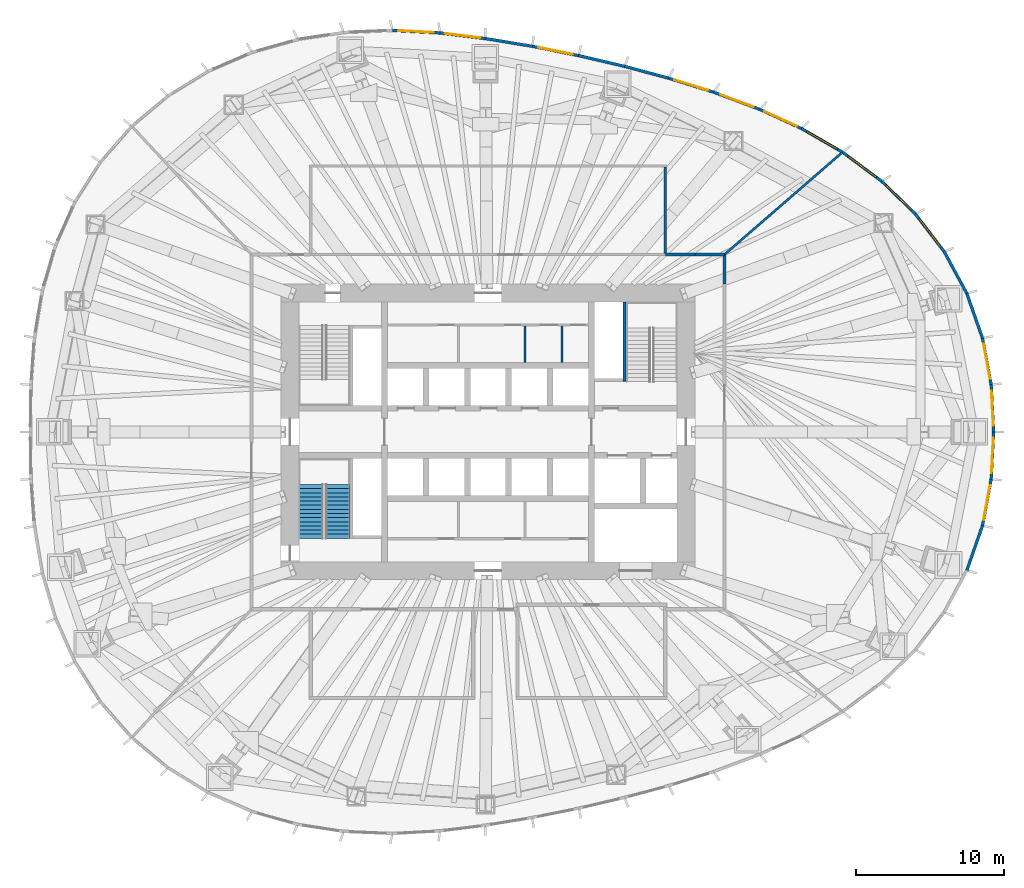
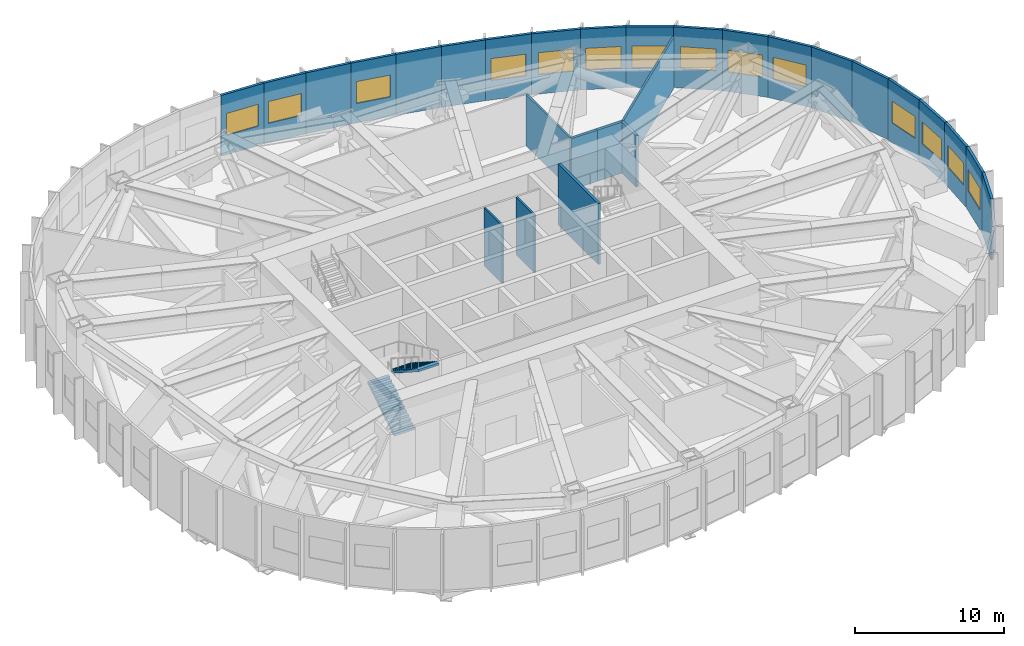
# One storey, part 10 of 12: 28 walls, 14 windows, 2 stair flights, 14 openings, 1 element without a shape of its own.
"""IFC4 building model written with IfcOpenShell, lengths in metres."""

import ifcopenshell
import ifcopenshell.guid

model = None  # the IFC model being written
_history = None  # IfcOwnerHistory: only IFC2X3 demands one
_inside = {}  # id of a spatial element -> (the spatial element, [elements in it])
_under = {}  # id of a project, library or spatial element -> (it, [spatial elements below it])
_declared = {}  # id of a project -> (the project, [libraries it declares])
_typed = {}  # id of a type object -> (the type object, [elements of that type])
_made_of = {}  # id of a material, layer set ... -> (it, [elements and type objects made of it])


def new_model(schema):
    """Start an empty IFC model of exactly this schema.

    Asked for "IFC4X3", IfcOpenShell would pick the latest addendum, in which some entities
    have other attributes; the version numbers below select the first issue.
    IFC2X3 requires an IfcOwnerHistory on every rooted entity: one is made here for all.
    """
    global model, _history
    if schema == "IFC4X3":
        model = ifcopenshell.file(schema_version=(4, 3, 0, 0))
    else:
        model = ifcopenshell.file(schema=schema)
    _inside.clear()
    _under.clear()
    _declared.clear()
    _typed.clear()
    _made_of.clear()
    _history = None
    if model.schema == "IFC2X3":
        org = make("IfcOrganization", Name="unknown")
        user = make(
            "IfcPersonAndOrganization",
            ThePerson=make("IfcPerson", FamilyName="unknown"),
            TheOrganization=org,
        )
        app = make(
            "IfcApplication",
            ApplicationDeveloper=org,
            Version="unknown",
            ApplicationFullName="unknown",
            ApplicationIdentifier="unknown",
        )
        _history = make(
            "IfcOwnerHistory",
            OwningUser=user,
            OwningApplication=app,
            ChangeAction="ADDED",
            CreationDate=0,
        )
    return model


def make(cls, **values):
    """One entity of the class cls with the attributes given. An attribute that is None is left unset."""
    return model.create_entity(
        cls, **{name: value for name, value in values.items() if value is not None}
    )


def rooted(cls, **values):
    """An entity with a GlobalId (a new one), such as an element, a storey or a relation."""
    return make(cls, GlobalId=ifcopenshell.guid.new(), OwnerHistory=_history, **values)


def si_unit(unit_type, name, prefix=None):
    """IfcSIUnit, for example si_unit("LENGTHUNIT", "METRE", prefix="MILLI")."""
    return make("IfcSIUnit", UnitType=unit_type, Prefix=prefix, Name=name)


def assignment(units):
    """IfcUnitAssignment: the units of a project."""
    return None if units is None else make("IfcUnitAssignment", Units=units)


def point(xyz):
    """IfcCartesianPoint."""
    return None if xyz is None else make("IfcCartesianPoint", Coordinates=xyz)


def direction(xyz):
    """IfcDirection."""
    return None if xyz is None else make("IfcDirection", DirectionRatios=xyz)


def frame(location, z_axis=None, x_axis=None):
    """IfcAxis2Placement3D, a coordinate frame: its origin and axes. An axis left out is left unset."""
    return make(
        "IfcAxis2Placement3D",
        Location=point(location),
        Axis=direction(z_axis),
        RefDirection=direction(x_axis),
    )


def frame_2d(location, x_axis=None):
    """IfcAxis2Placement2D, a coordinate frame in the plane: its origin and x axis."""
    return make(
        "IfcAxis2Placement2D", Location=point(location), RefDirection=direction(x_axis)
    )


def origin():
    """The frame at (0, 0, 0) with its axes left unset."""
    return frame((0.0, 0.0, 0.0))


def place(relative_to, where):
    """IfcLocalPlacement: puts the frame where relative to a parent placement (None: the world)."""
    return make(
        "IfcLocalPlacement", PlacementRelTo=relative_to, RelativePlacement=where
    )


def context(
    kind, dimensions, precision=None, world=None, true_north=None, identifier=None
):
    """IfcGeometricRepresentationContext, for example the 3D "Model" context."""
    return make(
        "IfcGeometricRepresentationContext",
        ContextIdentifier=identifier,
        ContextType=kind,
        CoordinateSpaceDimension=dimensions,
        Precision=precision,
        WorldCoordinateSystem=world,
        TrueNorth=true_north,
    )


def subcontext(parent, identifier, kind, view, scale=None):
    """IfcGeometricRepresentationSubContext, for example "Body" below "Model"."""
    return make(
        "IfcGeometricRepresentationSubContext",
        ContextIdentifier=identifier,
        ContextType=kind,
        ParentContext=parent,
        TargetScale=scale,
        TargetView=view,
    )


def project(units=None, contexts=None):
    """IfcProject with its units and contexts."""
    return rooted(
        "IfcProject",
        Name="project",
        RepresentationContexts=contexts,
        UnitsInContext=assignment(units),
    )


def spatial(cls, under=None, at=None, **own):
    """A site, building, storey or space (cls), placed at a placement, below another one or the project."""
    s = rooted(cls, ObjectPlacement=at, **own)
    if under is not None:
        _under.setdefault(under.id(), (under, []))[1].append(s)
    return s


def polyline(points):
    """IfcPolyline through the points."""
    return make("IfcPolyline", Points=[point(p) for p in points])


def profile(cls, at=None, kind="AREA", **sizes):
    """A parametric profile (cls). Its sizes go by their IFC names, for example OverallWidth=200.0."""
    return make(cls, ProfileType=kind, Position=at, **sizes)


def rectangle(**sizes):
    """IfcRectangleProfileDef."""
    return profile("IfcRectangleProfileDef", **sizes)


def outline(outer, holes=None, kind="AREA"):
    """IfcArbitraryClosedProfileDef: a profile drawn as a closed curve; with holes, ...WithVoids."""
    if holes is None:
        return make("IfcArbitraryClosedProfileDef", ProfileType=kind, OuterCurve=outer)
    return make(
        "IfcArbitraryProfileDefWithVoids",
        ProfileType=kind,
        OuterCurve=outer,
        InnerCurves=holes,
    )


def extrude(swept, where, along, depth):
    """IfcExtrudedAreaSolid: the profile swept, set in the frame where, extruded along a direction by depth."""
    return make(
        "IfcExtrudedAreaSolid",
        SweptArea=swept,
        Position=where,
        ExtrudedDirection=direction(along),
        Depth=depth,
    )


def shape(context_of_items, identifier, shape_type, items):
    """IfcShapeRepresentation: the items that make up one representation, for example the "Body"."""
    return make(
        "IfcShapeRepresentation",
        ContextOfItems=context_of_items,
        RepresentationIdentifier=identifier,
        RepresentationType=shape_type,
        Items=items,
    )


def material(Name=None, Category=None):
    """IfcMaterial."""
    return make("IfcMaterial", Name=Name, Category=Category)


def layer(
    of_material, thickness, ventilated=None, Name=None, Category=None, Priority=None
):
    """IfcMaterialLayer: one layer of a wall or slab, of a material (None: an air gap)."""
    return make(
        "IfcMaterialLayer",
        Material=of_material,
        LayerThickness=thickness,
        IsVentilated=ventilated,
        Name=Name,
        Category=Category,
        Priority=Priority,
    )


def layer_set(layers, Name=None):
    """IfcMaterialLayerSet."""
    return make("IfcMaterialLayerSet", MaterialLayers=layers, LayerSetName=Name)


def made_of(thing, what):
    """Note that an element or type object is made of a material, layer set ...; save() writes the relation."""
    if what is not None:
        _made_of.setdefault(what.id(), (what, []))[1].append(thing)
    return thing


def type_object(cls, material=None, **own):
    """A type object (cls), such as IfcWallType, which elements share."""
    return made_of(rooted(cls, **own), material)


def element(
    cls,
    number,
    at=None,
    inside=None,
    cuts=None,
    type_object=None,
    material=None,
    context=None,
    identifier="Body",
    shape_type=None,
    held_by="IfcProductDefinitionShape",
    body=None,
    shapes=None,
    **own,
):
    """One element of the class cls, such as IfcWall. Its Tag is "e" and its number.

    at: its placement. inside: the storey or other place that contains it. cuts: it is an
    opening in that element (IfcRelVoidsElement). A single representation is given by context,
    identifier, shape_type and body (its items); several are given by shapes. held_by: the class
    of the entity that holds the representations. save() writes the other relations.
    """
    e = rooted(cls, Tag="e%d" % number, ObjectPlacement=at, **own)
    if body is not None:
        shapes = [shape(context, identifier, shape_type, body)]
    if shapes is not None:
        e.Representation = make(held_by, Representations=shapes)
    if inside is not None:
        _inside.setdefault(inside.id(), (inside, []))[1].append(e)
    if cuts is not None:
        rooted(
            "IfcRelVoidsElement", RelatingBuildingElement=cuts, RelatedOpeningElement=e
        )
    if type_object is not None:
        _typed.setdefault(type_object.id(), (type_object, []))[1].append(e)
    return made_of(e, material)


def fill(opening, filler):
    """IfcRelFillsElement: the door or window that sits in an opening."""
    return rooted(
        "IfcRelFillsElement",
        RelatingOpeningElement=opening,
        RelatedBuildingElement=filler,
    )


def aggregate(whole, parts):
    """IfcRelAggregates: a whole, such as a stair, and the parts it consists of."""
    return rooted("IfcRelAggregates", RelatingObject=whole, RelatedObjects=parts)


def save(model, path):
    """Write the relations noted so far, then the file.

    IfcRelAggregates (storeys below a building ...), IfcRelContainedInSpatialStructure (elements
    in a storey), IfcRelDefinesByType, IfcRelAssociatesMaterial and IfcRelDeclares: one each for
    every whole, place, type object, material and project.
    """
    for whole, parts in _under.values():
        aggregate(whole, parts)
    for where, things in _inside.values():
        rooted(
            "IfcRelContainedInSpatialStructure",
            RelatedElements=things,
            RelatingStructure=where,
        )
    for kind, things in _typed.values():
        rooted("IfcRelDefinesByType", RelatedObjects=things, RelatingType=kind)
    for what, things in _made_of.values():
        rooted("IfcRelAssociatesMaterial", RelatedObjects=things, RelatingMaterial=what)
    for by, libraries in _declared.values():
        rooted("IfcRelDeclares", RelatingContext=by, RelatedDefinitions=libraries)
    model.write(path)


model = new_model("IFC4")

# Units and contexts
model_context = context("Model", 3, precision=1e-05, world=origin(), true_north=direction((0.0, 1.0)))
body_context = subcontext(model_context, "Body", "Model", "MODEL_VIEW")
ifc_project = project(units=[si_unit("LENGTHUNIT", "METRE"), si_unit("AREAUNIT", "SQUARE_METRE"), si_unit("VOLUMEUNIT", "CUBIC_METRE"), si_unit("PLANEANGLEUNIT", "RADIAN"), si_unit("MASSUNIT", "GRAM", prefix="KILO")], contexts=[model_context])

# Site, building, storey
site_placement = place(None, origin())
site = spatial("IfcSite", under=ifc_project, at=site_placement, CompositionType="ELEMENT")
building_placement = place(site_placement, origin())
building = spatial("IfcBuilding", under=site, at=building_placement, Name="Ghaith Harvest Tower", CompositionType="ELEMENT")
storey_placement = place(building_placement, frame((0.0, 0.0, 100.0)))
storey = spatial("IfcBuildingStorey", under=building, at=storey_placement, Name="L20", CompositionType="ELEMENT", Elevation=100.0)

# Walls
ifc_material_1 = material(Name="Concrete blockwork, 1-hour", Category="masonry")
ifc_layer_1 = layer(ifc_material_1, 0.215087890625)
ifc_layer_set_1 = layer_set([ifc_layer_1], Name="BLOCKWORK WALL 215")
wall_type_1 = type_object("IfcWallType", Name="BLOCKWORK WALL 215", PredefinedType="PARTITIONING", material=ifc_layer_set_1)
for number, where, z_axis, x_axis, name in (
    (1, (16.0, 12.0, 0.0), (0.0, 0.0, 1.0), (-1.0, 0.0, 0.0), "Plant room wall L20"),
    (2, (14.0, 12.0, 0.0), (0.0, 0.0, 1.0), (-1.0, 0.0, 0.0), "Plant room wall L20"),
    (3, (16.0, 10.0, 0.0), (0.0, 0.0, 1.0), (0.0, 1.0, 0.0), "Plant room wall L20"),
):
    element("IfcWall", number, at=place(storey_placement, frame(where, z_axis=z_axis, x_axis=x_axis)), inside=storey, type_object=wall_type_1, Name=name, PredefinedType="PARTITIONING", context=body_context, shape_type="SweptSolid", body=[
        extrude(rectangle(XDim=2.0, YDim=0.215087890625, at=frame_2d((1.0, 0.0))), origin(), (0.0, 0.0, 1.0), 4.199951171875),
    ])
ifc_material_2 = material(Name="Concrete blockwork, fair-faced", Category="masonry")
ifc_layer_2 = layer(ifc_material_2, 0.139892578125)
ifc_layer_set_2 = layer_set([ifc_layer_2], Name="CORE PARTITION 140")
wall_type_2 = type_object("IfcWallType", Name="CORE PARTITION 140", PredefinedType="PARTITIONING", material=ifc_layer_set_2)
for number, where, z_axis, x_axis, name in (
    (4, (2.5, 4.699951171875, 0.0), (0.0, 0.0, 1.0), (0.0, 1.0, 0.0), "Core partition L20"),
    (5, (5.0, 4.699951171875, 0.0), (0.0, 0.0, 1.0), (0.0, 1.0, 0.0), "Core partition L20"),
):
    element("IfcWall", number, at=place(storey_placement, frame(where, z_axis=z_axis, x_axis=x_axis)), inside=storey, type_object=wall_type_2, Name=name, PredefinedType="PARTITIONING", context=body_context, shape_type="SweptSolid", body=[
        extrude(rectangle(XDim=2.4599609375, YDim=0.139892578125, at=frame_2d((1.22998046875, 0.0))), origin(), (0.0, 0.0, 1.0), 4.75),
    ])
ifc_material_3 = material(Name="Gypsum board on steel studs", Category="steel")
ifc_layer_3 = layer(ifc_material_3, 0.14990234375)
ifc_layer_set_3 = layer_set([ifc_layer_3], Name="PARTITION 150")
wall_type_3 = type_object("IfcWallType", Name="PARTITION 150", PredefinedType="PARTITIONING", material=ifc_layer_set_3)
wall_1_placement = place(storey_placement, frame((16.01513671875, 12.01318359375, 0.0), z_axis=(0.0, 0.0, 1.0), x_axis=(0.755438460481, 0.655219606259, 0.0)))
element("IfcWall", 6, at=wall_1_placement, inside=storey, type_object=wall_type_3, Name="Partition L20 zone division", PredefinedType="PARTITIONING", context=body_context, shape_type="SweptSolid", body=[
    extrude(rectangle(XDim=10.4482421875, YDim=0.14990234375, at=frame_2d((5.22412109375, 0.0))), origin(), (0.0, 0.0, 1.0), 4.199951171875),
])
wall_2_placement = place(storey_placement, frame((12.0, 12.074951171875, 0.0), z_axis=(0.0, 0.0, 1.0), x_axis=(0.0, 1.0, 0.0)))
element("IfcWall", 7, at=wall_2_placement, inside=storey, type_object=wall_type_3, Name="Partition L20-01", PredefinedType="PARTITIONING", context=body_context, shape_type="SweptSolid", body=[
    extrude(rectangle(XDim=5.85009765625, YDim=0.14990234375, at=frame_2d((2.925048828125, 0.0))), origin(), (0.0, 0.0, 1.0), 4.199951171875),
])

# Wall, opening, window
ifc_material_4 = material(Name="Steel, black insulated metal cladding panel", Category="steel")
ifc_layer_4 = layer(ifc_material_4, 0.199951171875)
ifc_layer_set_4 = layer_set([ifc_layer_4], Name="PLANT ENCLOSURE WALL 200")
wall_type_4 = type_object("IfcWallType", Name="PLANT ENCLOSURE WALL 200", PredefinedType="SOLIDWALL", material=ifc_layer_set_4)
wall_3_placement = place(storey_placement, frame((34.22509765625, 0.0, 0.0), z_axis=(0.0, 0.0, 1.0), x_axis=(-0.052055527152, 0.998644191939, 0.0)))
wall_3 = element("IfcWall", 8, at=wall_3_placement, inside=storey, type_object=wall_type_4, Name="Plant enclosure wall 01.1 L20", PredefinedType="SOLIDWALL", context=body_context, shape_type="SweptSolid", body=[
    extrude(rectangle(XDim=3.2080078125, YDim=0.199951171875, at=frame_2d((1.60400390625, 0.0))), origin(), (0.0, 0.0, 1.0), 5.0),
])
opening_1_placement = place(wall_3_placement, frame((0.40380859375, 0.0, 1.60009765625)))
opening_1 = element("IfcOpeningElement", 9, at=opening_1_placement, cuts=wall_3, Name="Opening LV1", PredefinedType="OPENING", context=body_context, shape_type="SweptSolid", body=[
    extrude(rectangle(XDim=2.39990234375, YDim=1.800048828125, at=frame_2d((1.199951171875, 0.89990234375))), frame((0.0, 0.10986328125, 0.0), z_axis=(0.0, -1.0, 0.0), x_axis=(1.0, 0.0, 0.0)), (0.0, 0.0, 1.0), 0.219970703125),
])
ifc_material_5 = material(Name="Aluminium louvre, black", Category="aluminium")
window_type = type_object("IfcWindowType", Name="LOUVRE L1 2400x1800", PartitioningType="SINGLE_PANEL", PredefinedType="WINDOW", material=ifc_material_5)
window_1_placement = place(opening_1_placement, origin())
window_1 = element("IfcWindow", 10, at=window_1_placement, inside=storey, type_object=window_type, Name="Plant louvre 01.1 L20", OverallHeight=1.800048828125, OverallWidth=2.39990234375, PartitioningType="SINGLE_PANEL", PredefinedType="WINDOW", context=body_context, shape_type="SweptSolid", body=[
    extrude(rectangle(XDim=2.39990234375, YDim=1.800048828125, at=frame_2d((1.199951171875, 0.89990234375))), frame((0.0, 0.030029296875, 0.0), z_axis=(0.0, -1.0, 0.0), x_axis=(1.0, 0.0, 0.0)), (0.0, 0.0, 1.0), 0.06005859375),
])
fill(opening_1, window_1)

wall_4_placement = place(storey_placement, frame((34.05810546875, 3.20361328125, 0.0), z_axis=(0.0, 0.0, 1.0), x_axis=(-0.183598254388, 0.983001363674, 0.0)))
wall_4 = element("IfcWall", 11, at=wall_4_placement, inside=storey, type_object=wall_type_4, Name="Plant enclosure wall 01.2 L20", PredefinedType="SOLIDWALL", context=body_context, shape_type="SweptSolid", body=[
    extrude(rectangle(XDim=3.203369140625, YDim=0.199951171875, at=frame_2d((1.6015625, 0.0))), origin(), (0.0, 0.0, 1.0), 5.0),
])
opening_2_placement = place(wall_4_placement, frame((0.40185546875, 0.0, 1.60009765625)))
opening_2 = element("IfcOpeningElement", 12, at=opening_2_placement, cuts=wall_4, Name="Opening LV1", PredefinedType="OPENING", context=body_context, shape_type="SweptSolid", body=[
    extrude(rectangle(XDim=2.39990234375, YDim=1.800048828125, at=frame_2d((1.199951171875, 0.89990234375))), frame((0.0, 0.10986328125, 0.0), z_axis=(0.0, -1.0, 0.0), x_axis=(1.0, 0.0, 0.0)), (0.0, 0.0, 1.0), 0.219970703125),
])
window_2_placement = place(opening_2_placement, origin())
window_2 = element("IfcWindow", 13, at=window_2_placement, inside=storey, type_object=window_type, Name="Plant louvre 01.2 L20", OverallHeight=1.800048828125, OverallWidth=2.39990234375, PartitioningType="SINGLE_PANEL", PredefinedType="WINDOW", context=body_context, shape_type="SweptSolid", body=[
    extrude(rectangle(XDim=2.39990234375, YDim=1.800048828125, at=frame_2d((1.199951171875, 0.89990234375))), frame((0.0, 0.030029296875, 0.0), z_axis=(0.0, -1.0, 0.0), x_axis=(1.0, 0.0, 0.0)), (0.0, 0.0, 1.0), 0.06005859375),
])
fill(opening_2, window_2)

# Walls
wall_5_placement = place(storey_placement, frame((33.469970703125, 6.3525390625, 0.0), z_axis=(0.0, 0.0, 1.0), x_axis=(-0.330312986114, 0.943871459048, 0.0)))
element("IfcWall", 14, at=wall_5_placement, inside=storey, type_object=wall_type_4, Name="Plant enclosure wall 01.3 L20", PredefinedType="SOLIDWALL", context=body_context, shape_type="SweptSolid", body=[
    extrude(rectangle(XDim=3.1953125, YDim=0.199951171875, at=frame_2d((1.59765625, 0.0))), origin(), (0.0, 0.0, 1.0), 5.0),
])
wall_6_placement = place(storey_placement, frame((32.41455078125, 9.368408203125, 0.0), z_axis=(0.0, 0.0, 1.0), x_axis=(-0.475929838949, 0.879483250777, 0.0)))
element("IfcWall", 15, at=wall_6_placement, inside=storey, type_object=wall_type_4, Name="Plant enclosure wall 02.1 L20", PredefinedType="SOLIDWALL", context=body_context, shape_type="SweptSolid", body=[
    extrude(rectangle(XDim=3.228271484375, YDim=0.199951171875, at=frame_2d((1.6142578125, 0.0))), origin(), (0.0, 0.0, 1.0), 5.0),
])

# Wall, opening, window
wall_7_placement = place(storey_placement, frame((30.878173828125, 12.20751953125, 0.0), z_axis=(0.0, 0.0, 1.0), x_axis=(-0.607718510509, 0.794152511791, 0.0)))
wall_7 = element("IfcWall", 16, at=wall_7_placement, inside=storey, type_object=wall_type_4, Name="Plant enclosure wall 02.2 L20", PredefinedType="SOLIDWALL", context=body_context, shape_type="SweptSolid", body=[
    extrude(rectangle(XDim=3.20703125, YDim=0.199951171875, at=frame_2d((1.603515625, 0.0))), origin(), (0.0, 0.0, 1.0), 5.0),
])
opening_3_placement = place(wall_7_placement, frame((0.4033203125, 0.0, 1.60009765625)))
opening_3 = element("IfcOpeningElement", 17, at=opening_3_placement, cuts=wall_7, Name="Opening LV1", PredefinedType="OPENING", context=body_context, shape_type="SweptSolid", body=[
    extrude(rectangle(XDim=2.39990234375, YDim=1.800048828125, at=frame_2d((1.199951171875, 0.89990234375))), frame((0.0, 0.10986328125, 0.0), z_axis=(0.0, -1.0, 0.0), x_axis=(1.0, 0.0, 0.0)), (0.0, 0.0, 1.0), 0.219970703125),
])
window_3_placement = place(opening_3_placement, origin())
window_3 = element("IfcWindow", 18, at=window_3_placement, inside=storey, type_object=window_type, Name="Plant louvre 02.2 L20", OverallHeight=1.800048828125, OverallWidth=2.39990234375, PartitioningType="SINGLE_PANEL", PredefinedType="WINDOW", context=body_context, shape_type="SweptSolid", body=[
    extrude(rectangle(XDim=2.39990234375, YDim=1.800048828125, at=frame_2d((1.199951171875, 0.89990234375))), frame((0.0, 0.030029296875, 0.0), z_axis=(0.0, -1.0, 0.0), x_axis=(1.0, 0.0, 0.0)), (0.0, 0.0, 1.0), 0.06005859375),
])
fill(opening_3, window_3)

wall_8_placement = place(storey_placement, frame((28.92919921875, 14.75439453125, 0.0), z_axis=(0.0, 0.0, 1.0), x_axis=(-0.716782107905, 0.697297217682, 0.0)))
wall_8 = element("IfcWall", 19, at=wall_8_placement, inside=storey, type_object=wall_type_4, Name="Plant enclosure wall 02.3 L20", PredefinedType="SOLIDWALL", context=body_context, shape_type="SweptSolid", body=[
    extrude(rectangle(XDim=3.169921875, YDim=0.199951171875, at=frame_2d((1.5849609375, 0.0))), origin(), (0.0, 0.0, 1.0), 5.0),
])
opening_4_placement = place(wall_8_placement, frame((0.385009765625, 0.0, 1.60009765625)))
opening_4 = element("IfcOpeningElement", 20, at=opening_4_placement, cuts=wall_8, Name="Opening LV1", PredefinedType="OPENING", context=body_context, shape_type="SweptSolid", body=[
    extrude(rectangle(XDim=2.39990234375, YDim=1.800048828125, at=frame_2d((1.199951171875, 0.89990234375))), frame((0.0, 0.10986328125, 0.0), z_axis=(0.0, -1.0, 0.0), x_axis=(1.0, 0.0, 0.0)), (0.0, 0.0, 1.0), 0.219970703125),
])
window_4_placement = place(opening_4_placement, origin())
window_4 = element("IfcWindow", 21, at=window_4_placement, inside=storey, type_object=window_type, Name="Plant louvre 02.3 L20", OverallHeight=1.800048828125, OverallWidth=2.39990234375, PartitioningType="SINGLE_PANEL", PredefinedType="WINDOW", context=body_context, shape_type="SweptSolid", body=[
    extrude(rectangle(XDim=2.39990234375, YDim=1.800048828125, at=frame_2d((1.199951171875, 0.89990234375))), frame((0.0, 0.030029296875, 0.0), z_axis=(0.0, -1.0, 0.0), x_axis=(1.0, 0.0, 0.0)), (0.0, 0.0, 1.0), 0.06005859375),
])
fill(opening_4, window_4)

wall_9_placement = place(storey_placement, frame((26.656982421875, 16.96484375, 0.0), z_axis=(0.0, 0.0, 1.0), x_axis=(-0.803003388377, 0.595974461076, 0.0)))
wall_9 = element("IfcWall", 22, at=wall_9_placement, inside=storey, type_object=wall_type_4, Name="Plant enclosure wall 03.1 L20", PredefinedType="SOLIDWALL", context=body_context, shape_type="SweptSolid", body=[
    extrude(rectangle(XDim=3.305419921875, YDim=0.199951171875, at=frame_2d((1.65283203125, 0.0))), origin(), (0.0, 0.0, 1.0), 5.0),
])
opening_5_placement = place(wall_9_placement, frame((0.452880859375, 0.0, 1.60009765625)))
opening_5 = element("IfcOpeningElement", 23, at=opening_5_placement, cuts=wall_9, Name="Opening LV1", PredefinedType="OPENING", context=body_context, shape_type="SweptSolid", body=[
    extrude(rectangle(XDim=2.39990234375, YDim=1.800048828125, at=frame_2d((1.199951171875, 0.89990234375))), frame((0.0, 0.10986328125, 0.0), z_axis=(0.0, -1.0, 0.0), x_axis=(1.0, 0.0, 0.0)), (0.0, 0.0, 1.0), 0.219970703125),
])
window_5_placement = place(opening_5_placement, origin())
window_5 = element("IfcWindow", 24, at=window_5_placement, inside=storey, type_object=window_type, Name="Plant louvre 03.1 L20", OverallHeight=1.800048828125, OverallWidth=2.39990234375, PartitioningType="SINGLE_PANEL", PredefinedType="WINDOW", context=body_context, shape_type="SweptSolid", body=[
    extrude(rectangle(XDim=2.39990234375, YDim=1.800048828125, at=frame_2d((1.199951171875, 0.89990234375))), frame((0.0, 0.030029296875, 0.0), z_axis=(0.0, -1.0, 0.0), x_axis=(1.0, 0.0, 0.0)), (0.0, 0.0, 1.0), 0.06005859375),
])
fill(opening_5, window_5)

wall_10_placement = place(storey_placement, frame((24.002685546875, 18.934814453125, 0.0), z_axis=(0.0, 0.0, 1.0), x_axis=(-0.866247604337, 0.499614939709, 0.0)))
wall_10 = element("IfcWall", 25, at=wall_10_placement, inside=storey, type_object=wall_type_4, Name="Plant enclosure wall 03.2 L20", PredefinedType="SOLIDWALL", context=body_context, shape_type="SweptSolid", body=[
    extrude(rectangle(XDim=3.2109375, YDim=0.199951171875, at=frame_2d((1.60546875, 0.0))), origin(), (0.0, 0.0, 1.0), 5.0),
])
opening_6_placement = place(wall_10_placement, frame((0.405517578125, 0.0, 1.60009765625)))
opening_6 = element("IfcOpeningElement", 26, at=opening_6_placement, cuts=wall_10, Name="Opening LV1", PredefinedType="OPENING", context=body_context, shape_type="SweptSolid", body=[
    extrude(rectangle(XDim=2.39990234375, YDim=1.800048828125, at=frame_2d((1.199951171875, 0.89990234375))), frame((0.0, 0.10986328125, 0.0), z_axis=(0.0, -1.0, 0.0), x_axis=(1.0, 0.0, 0.0)), (0.0, 0.0, 1.0), 0.219970703125),
])
window_6_placement = place(opening_6_placement, origin())
window_6 = element("IfcWindow", 27, at=window_6_placement, inside=storey, type_object=window_type, Name="Plant louvre 03.2 L20", OverallHeight=1.800048828125, OverallWidth=2.39990234375, PartitioningType="SINGLE_PANEL", PredefinedType="WINDOW", context=body_context, shape_type="SweptSolid", body=[
    extrude(rectangle(XDim=2.39990234375, YDim=1.800048828125, at=frame_2d((1.199951171875, 0.89990234375))), frame((0.0, 0.030029296875, 0.0), z_axis=(0.0, -1.0, 0.0), x_axis=(1.0, 0.0, 0.0)), (0.0, 0.0, 1.0), 0.06005859375),
])
fill(opening_6, window_6)

wall_11_placement = place(storey_placement, frame((21.22119140625, 20.5390625, 0.0), z_axis=(0.0, 0.0, 1.0), x_axis=(-0.908621015228, 0.417621659743, 0.0)))
wall_11 = element("IfcWall", 28, at=wall_11_placement, inside=storey, type_object=wall_type_4, Name="Plant enclosure wall 03.3 L20", PredefinedType="SOLIDWALL", context=body_context, shape_type="SweptSolid", body=[
    extrude(rectangle(XDim=3.09423828125, YDim=0.199951171875, at=frame_2d((1.547119140625, 0.0))), origin(), (0.0, 0.0, 1.0), 5.0),
])
opening_7_placement = place(wall_11_placement, frame((0.34716796875, 0.0, 1.60009765625)))
opening_7 = element("IfcOpeningElement", 29, at=opening_7_placement, cuts=wall_11, Name="Opening LV1", PredefinedType="OPENING", context=body_context, shape_type="SweptSolid", body=[
    extrude(rectangle(XDim=2.39990234375, YDim=1.800048828125, at=frame_2d((1.199951171875, 0.89990234375))), frame((0.0, 0.10986328125, 0.0), z_axis=(0.0, -1.0, 0.0), x_axis=(1.0, 0.0, 0.0)), (0.0, 0.0, 1.0), 0.219970703125),
])
window_7_placement = place(opening_7_placement, origin())
window_7 = element("IfcWindow", 30, at=window_7_placement, inside=storey, type_object=window_type, Name="Plant louvre 03.3 L20", OverallHeight=1.800048828125, OverallWidth=2.39990234375, PartitioningType="SINGLE_PANEL", PredefinedType="WINDOW", context=body_context, shape_type="SweptSolid", body=[
    extrude(rectangle(XDim=2.39990234375, YDim=1.800048828125, at=frame_2d((1.199951171875, 0.89990234375))), frame((0.0, 0.030029296875, 0.0), z_axis=(0.0, -1.0, 0.0), x_axis=(1.0, 0.0, 0.0)), (0.0, 0.0, 1.0), 0.06005859375),
])
fill(opening_7, window_7)

wall_12_placement = place(storey_placement, frame((18.40966796875, 21.831298828125, 0.0), z_axis=(0.0, 0.0, 1.0), x_axis=(-0.936993572149, 0.349346598312, 0.0)))
wall_12 = element("IfcWall", 31, at=wall_12_placement, inside=storey, type_object=wall_type_4, Name="Plant enclosure wall 04.1 L20", PredefinedType="SOLIDWALL", context=body_context, shape_type="SweptSolid", body=[
    extrude(rectangle(XDim=3.343994140625, YDim=0.199951171875, at=frame_2d((1.671875, 0.0))), origin(), (0.0, 0.0, 1.0), 5.0),
])
opening_8_placement = place(wall_12_placement, frame((0.471923828125, 0.0, 1.60009765625)))
opening_8 = element("IfcOpeningElement", 32, at=opening_8_placement, cuts=wall_12, Name="Opening LV1", PredefinedType="OPENING", context=body_context, shape_type="SweptSolid", body=[
    extrude(rectangle(XDim=2.39990234375, YDim=1.800048828125, at=frame_2d((1.199951171875, 0.89990234375))), frame((0.0, 0.10986328125, 0.0), z_axis=(0.0, -1.0, 0.0), x_axis=(1.0, 0.0, 0.0)), (0.0, 0.0, 1.0), 0.219970703125),
])
window_8_placement = place(opening_8_placement, origin())
window_8 = element("IfcWindow", 33, at=window_8_placement, inside=storey, type_object=window_type, Name="Plant louvre 04.1 L20", OverallHeight=1.800048828125, OverallWidth=2.39990234375, PartitioningType="SINGLE_PANEL", PredefinedType="WINDOW", context=body_context, shape_type="SweptSolid", body=[
    extrude(rectangle(XDim=2.39990234375, YDim=1.800048828125, at=frame_2d((1.199951171875, 0.89990234375))), frame((0.0, 0.030029296875, 0.0), z_axis=(0.0, -1.0, 0.0), x_axis=(1.0, 0.0, 0.0)), (0.0, 0.0, 1.0), 0.06005859375),
])
fill(opening_8, window_8)

wall_13_placement = place(storey_placement, frame((15.2763671875, 22.99951171875, 0.0), z_axis=(0.0, 0.0, 1.0), x_axis=(-0.955035787584, 0.296490546954, 0.0)))
wall_13 = element("IfcWall", 34, at=wall_13_placement, inside=storey, type_object=wall_type_4, Name="Plant enclosure wall 04.2 L20", PredefinedType="SOLIDWALL", context=body_context, shape_type="SweptSolid", body=[
    extrude(rectangle(XDim=3.19482421875, YDim=0.199951171875, at=frame_2d((1.597412109375, 0.0))), origin(), (0.0, 0.0, 1.0), 5.0),
])
opening_9_placement = place(wall_13_placement, frame((0.3974609375, 0.0, 1.60009765625)))
opening_9 = element("IfcOpeningElement", 35, at=opening_9_placement, cuts=wall_13, Name="Opening LV1", PredefinedType="OPENING", context=body_context, shape_type="SweptSolid", body=[
    extrude(rectangle(XDim=2.39990234375, YDim=1.800048828125, at=frame_2d((1.199951171875, 0.89990234375))), frame((0.0, 0.10986328125, 0.0), z_axis=(0.0, -1.0, 0.0), x_axis=(1.0, 0.0, 0.0)), (0.0, 0.0, 1.0), 0.219970703125),
])
window_9_placement = place(opening_9_placement, origin())
window_9 = element("IfcWindow", 36, at=window_9_placement, inside=storey, type_object=window_type, Name="Plant louvre 04.2 L20", OverallHeight=1.800048828125, OverallWidth=2.39990234375, PartitioningType="SINGLE_PANEL", PredefinedType="WINDOW", context=body_context, shape_type="SweptSolid", body=[
    extrude(rectangle(XDim=2.39990234375, YDim=1.800048828125, at=frame_2d((1.199951171875, 0.89990234375))), frame((0.0, 0.030029296875, 0.0), z_axis=(0.0, -1.0, 0.0), x_axis=(1.0, 0.0, 0.0)), (0.0, 0.0, 1.0), 0.06005859375),
])
fill(opening_9, window_9)

# Walls
wall_14_placement = place(storey_placement, frame((12.22509765625, 23.94677734375, 0.0), z_axis=(0.0, 0.0, 1.0), x_axis=(-0.965880088888, 0.25898967912, 0.0)))
element("IfcWall", 37, at=wall_14_placement, inside=storey, type_object=wall_type_4, Name="Plant enclosure wall 04.3 L20", PredefinedType="SOLIDWALL", context=body_context, shape_type="SweptSolid", body=[
    extrude(rectangle(XDim=3.07958984375, YDim=0.199951171875, at=frame_2d((1.539794921875, 0.0))), origin(), (0.0, 0.0, 1.0), 5.0),
])
wall_15_placement = place(storey_placement, frame((9.25048828125, 24.744384765625, 0.0), z_axis=(0.0, 0.0, 1.0), x_axis=(-0.973572895891, 0.228376479493, 0.0)))
element("IfcWall", 38, at=wall_15_placement, inside=storey, type_object=wall_type_4, Name="Plant enclosure wall 05.1 L20", PredefinedType="SOLIDWALL", context=body_context, shape_type="SweptSolid", body=[
    extrude(rectangle(XDim=3.202880859375, YDim=0.199951171875, at=frame_2d((1.6015625, 0.0))), origin(), (0.0, 0.0, 1.0), 5.0),
])

# Wall, opening, window
wall_16_placement = place(storey_placement, frame((6.13232421875, 25.475830078125, 0.0), z_axis=(0.0, 0.0, 1.0), x_axis=(-0.980424252134, 0.196896637419, 0.0)))
wall_16 = element("IfcWall", 39, at=wall_16_placement, inside=storey, type_object=wall_type_4, Name="Plant enclosure wall 05.2 L20", PredefinedType="SOLIDWALL", context=body_context, shape_type="SweptSolid", body=[
    extrude(rectangle(XDim=3.18798828125, YDim=0.199951171875, at=frame_2d((1.593994140625, 0.0))), origin(), (0.0, 0.0, 1.0), 5.0),
])
opening_10_placement = place(wall_16_placement, frame((0.393798828125, 0.0, 1.60009765625)))
opening_10 = element("IfcOpeningElement", 40, at=opening_10_placement, cuts=wall_16, Name="Opening LV1", PredefinedType="OPENING", context=body_context, shape_type="SweptSolid", body=[
    extrude(rectangle(XDim=2.39990234375, YDim=1.800048828125, at=frame_2d((1.199951171875, 0.89990234375))), frame((0.0, 0.10986328125, 0.0), z_axis=(0.0, -1.0, 0.0), x_axis=(1.0, 0.0, 0.0)), (0.0, 0.0, 1.0), 0.219970703125),
])
window_10_placement = place(opening_10_placement, origin())
window_10 = element("IfcWindow", 41, at=window_10_placement, inside=storey, type_object=window_type, Name="Plant louvre 05.2 L20", OverallHeight=1.800048828125, OverallWidth=2.39990234375, PartitioningType="SINGLE_PANEL", PredefinedType="WINDOW", context=body_context, shape_type="SweptSolid", body=[
    extrude(rectangle(XDim=2.39990234375, YDim=1.800048828125, at=frame_2d((1.199951171875, 0.89990234375))), frame((0.0, 0.030029296875, 0.0), z_axis=(0.0, -1.0, 0.0), x_axis=(1.0, 0.0, 0.0)), (0.0, 0.0, 1.0), 0.06005859375),
])
fill(opening_10, window_10)

# Wall
wall_17_placement = place(storey_placement, frame((3.0068359375, 26.103515625, 0.0), z_axis=(0.0, 0.0, 1.0), x_axis=(-0.986783142393, 0.162046381904, 0.0)))
element("IfcWall", 42, at=wall_17_placement, inside=storey, type_object=wall_type_4, Name="Plant enclosure wall 05.3 L20", PredefinedType="SOLIDWALL", context=body_context, shape_type="SweptSolid", body=[
    extrude(rectangle(XDim=3.231689453125, YDim=0.199951171875, at=frame_2d((1.61572265625, 0.0))), origin(), (0.0, 0.0, 1.0), 5.0),
])

# Wall, opening, window
wall_18_placement = place(storey_placement, frame((-0.18212890625, 26.627197265625, 0.0), z_axis=(0.0, 0.0, 1.0), x_axis=(-0.992351582774, 0.123443655834, 0.0)))
wall_18 = element("IfcWall", 43, at=wall_18_placement, inside=storey, type_object=wall_type_4, Name="Plant enclosure wall 06.1 L20", PredefinedType="SOLIDWALL", context=body_context, shape_type="SweptSolid", body=[
    extrude(rectangle(XDim=3.10107421875, YDim=0.199951171875, at=frame_2d((1.550537109375, 0.0))), origin(), (0.0, 0.0, 1.0), 5.0),
])
opening_11_placement = place(wall_18_placement, frame((0.3505859375, 0.0, 1.60009765625)))
opening_11 = element("IfcOpeningElement", 44, at=opening_11_placement, cuts=wall_18, Name="Opening LV1", PredefinedType="OPENING", context=body_context, shape_type="SweptSolid", body=[
    extrude(rectangle(XDim=2.39990234375, YDim=1.800048828125, at=frame_2d((1.199951171875, 0.89990234375))), frame((0.0, 0.10986328125, 0.0), z_axis=(0.0, -1.0, 0.0), x_axis=(1.0, 0.0, 0.0)), (0.0, 0.0, 1.0), 0.219970703125),
])
window_11_placement = place(opening_11_placement, origin())
window_11 = element("IfcWindow", 45, at=window_11_placement, inside=storey, type_object=window_type, Name="Plant louvre 06.1 L20", OverallHeight=1.800048828125, OverallWidth=2.39990234375, PartitioningType="SINGLE_PANEL", PredefinedType="WINDOW", context=body_context, shape_type="SweptSolid", body=[
    extrude(rectangle(XDim=2.39990234375, YDim=1.800048828125, at=frame_2d((1.199951171875, 0.89990234375))), frame((0.0, 0.030029296875, 0.0), z_axis=(0.0, -1.0, 0.0), x_axis=(1.0, 0.0, 0.0)), (0.0, 0.0, 1.0), 0.06005859375),
])
fill(opening_11, window_11)

wall_19_placement = place(storey_placement, frame((-3.259521484375, 27.010009765625, 0.0), z_axis=(0.0, 0.0, 1.0), x_axis=(-0.998553566531, 0.053765925715, 0.0)))
wall_19 = element("IfcWall", 46, at=wall_19_placement, inside=storey, type_object=wall_type_4, Name="Plant enclosure wall 06.2 L20", PredefinedType="SOLIDWALL", context=body_context, shape_type="SweptSolid", body=[
    extrude(rectangle(XDim=3.205810546875, YDim=0.199951171875, at=frame_2d((1.60302734375, 0.0))), origin(), (0.0, 0.0, 1.0), 5.0),
])
opening_12_placement = place(wall_19_placement, frame((0.40283203125, 0.0, 1.60009765625)))
opening_12 = element("IfcOpeningElement", 47, at=opening_12_placement, cuts=wall_19, Name="Opening LV1", PredefinedType="OPENING", context=body_context, shape_type="SweptSolid", body=[
    extrude(rectangle(XDim=2.39990234375, YDim=1.800048828125, at=frame_2d((1.199951171875, 0.89990234375))), frame((0.0, 0.10986328125, 0.0), z_axis=(0.0, -1.0, 0.0), x_axis=(1.0, 0.0, 0.0)), (0.0, 0.0, 1.0), 0.219970703125),
])
window_12_placement = place(opening_12_placement, origin())
window_12 = element("IfcWindow", 48, at=window_12_placement, inside=storey, type_object=window_type, Name="Plant louvre 06.2 L20", OverallHeight=1.800048828125, OverallWidth=2.39990234375, PartitioningType="SINGLE_PANEL", PredefinedType="WINDOW", context=body_context, shape_type="SweptSolid", body=[
    extrude(rectangle(XDim=2.39990234375, YDim=1.800048828125, at=frame_2d((1.199951171875, 0.89990234375))), frame((0.0, 0.030029296875, 0.0), z_axis=(0.0, -1.0, 0.0), x_axis=(1.0, 0.0, 0.0)), (0.0, 0.0, 1.0), 0.06005859375),
])
fill(opening_12, window_12)

# Wall
wall_20_placement = place(storey_placement, frame((32.41455078125, -9.368408203125, 0.0), z_axis=(0.0, 0.0, 1.0), x_axis=(0.330312986114, 0.943871459048, 0.0)))
element("IfcWall", 49, at=wall_20_placement, inside=storey, type_object=wall_type_4, Name="Plant enclosure wall 20.1 L20", PredefinedType="SOLIDWALL", context=body_context, shape_type="SweptSolid", body=[
    extrude(rectangle(XDim=3.1953125, YDim=0.199951171875, at=frame_2d((1.59765625, 0.0))), origin(), (0.0, 0.0, 1.0), 5.0),
])

# Wall, opening, window
wall_21_placement = place(storey_placement, frame((33.469970703125, -6.3525390625, 0.0), z_axis=(0.0, 0.0, 1.0), x_axis=(0.183598254388, 0.983001363674, 0.0)))
wall_21 = element("IfcWall", 50, at=wall_21_placement, inside=storey, type_object=wall_type_4, Name="Plant enclosure wall 20.2 L20", PredefinedType="SOLIDWALL", context=body_context, shape_type="SweptSolid", body=[
    extrude(rectangle(XDim=3.203369140625, YDim=0.199951171875, at=frame_2d((1.6015625, 0.0))), origin(), (0.0, 0.0, 1.0), 5.0),
])
opening_13_placement = place(wall_21_placement, frame((0.40185546875, 0.0, 1.60009765625)))
opening_13 = element("IfcOpeningElement", 51, at=opening_13_placement, cuts=wall_21, Name="Opening LV1", PredefinedType="OPENING", context=body_context, shape_type="SweptSolid", body=[
    extrude(rectangle(XDim=2.39990234375, YDim=1.800048828125, at=frame_2d((1.199951171875, 0.89990234375))), frame((0.0, 0.10986328125, 0.0), z_axis=(0.0, -1.0, 0.0), x_axis=(1.0, 0.0, 0.0)), (0.0, 0.0, 1.0), 0.219970703125),
])
window_13_placement = place(opening_13_placement, origin())
window_13 = element("IfcWindow", 52, at=window_13_placement, inside=storey, type_object=window_type, Name="Plant louvre 20.2 L20", OverallHeight=1.800048828125, OverallWidth=2.39990234375, PartitioningType="SINGLE_PANEL", PredefinedType="WINDOW", context=body_context, shape_type="SweptSolid", body=[
    extrude(rectangle(XDim=2.39990234375, YDim=1.800048828125, at=frame_2d((1.199951171875, 0.89990234375))), frame((0.0, 0.030029296875, 0.0), z_axis=(0.0, -1.0, 0.0), x_axis=(1.0, 0.0, 0.0)), (0.0, 0.0, 1.0), 0.06005859375),
])
fill(opening_13, window_13)

wall_22_placement = place(storey_placement, frame((34.05810546875, -3.20361328125, 0.0), z_axis=(0.0, 0.0, 1.0), x_axis=(0.052055527152, 0.998644191939, 0.0)))
wall_22 = element("IfcWall", 53, at=wall_22_placement, inside=storey, type_object=wall_type_4, Name="Plant enclosure wall 20.3 L20", PredefinedType="SOLIDWALL", context=body_context, shape_type="SweptSolid", body=[
    extrude(rectangle(XDim=3.2080078125, YDim=0.199951171875, at=frame_2d((1.60400390625, 0.0))), origin(), (0.0, 0.0, 1.0), 5.0),
])
opening_14_placement = place(wall_22_placement, frame((0.40380859375, 0.0, 1.60009765625)))
opening_14 = element("IfcOpeningElement", 54, at=opening_14_placement, cuts=wall_22, Name="Opening LV1", PredefinedType="OPENING", context=body_context, shape_type="SweptSolid", body=[
    extrude(rectangle(XDim=2.39990234375, YDim=1.800048828125, at=frame_2d((1.199951171875, 0.89990234375))), frame((0.0, 0.10986328125, 0.0), z_axis=(0.0, -1.0, 0.0), x_axis=(1.0, 0.0, 0.0)), (0.0, 0.0, 1.0), 0.219970703125),
])
window_14_placement = place(opening_14_placement, origin())
window_14 = element("IfcWindow", 55, at=window_14_placement, inside=storey, type_object=window_type, Name="Plant louvre 20.3 L20", OverallHeight=1.800048828125, OverallWidth=2.39990234375, PartitioningType="SINGLE_PANEL", PredefinedType="WINDOW", context=body_context, shape_type="SweptSolid", body=[
    extrude(rectangle(XDim=2.39990234375, YDim=1.800048828125, at=frame_2d((1.199951171875, 0.89990234375))), frame((0.0, 0.030029296875, 0.0), z_axis=(0.0, -1.0, 0.0), x_axis=(1.0, 0.0, 0.0)), (0.0, 0.0, 1.0), 0.06005859375),
])
fill(opening_14, window_14)

# Wall
ifc_material_6 = material(Name="Concrete C40/50", Category="concrete")
ifc_layer_5 = layer(ifc_material_6, 0.199951171875)
ifc_layer_set_5 = layer_set([ifc_layer_5], Name="STAIR SPINE WALL RC200")
wall_type_5 = type_object("IfcWallType", Name="STAIR SPINE WALL RC200", PredefinedType="SOLIDWALL", material=ifc_layer_set_5)
wall_23_placement = place(storey_placement, frame((9.25, 3.39990234375, 0.0), z_axis=(0.0, 0.0, 1.0), x_axis=(0.0, 1.0, 0.0)))
element("IfcWall", 56, at=wall_23_placement, inside=storey, type_object=wall_type_5, Name="Stair ST2 spine wall L20", PredefinedType="SOLIDWALL", context=body_context, shape_type="SweptSolid", body=[
    extrude(rectangle(XDim=5.400146484375, YDim=0.199951171875, at=frame_2d((2.7001953125, 0.0))), origin(), (0.0, 0.0, 1.0), 5.0),
])

# Stair, stair flights
ifc_material_7 = material(Name="Concrete C40/50, precast", Category="concrete")
stair_type = type_object("IfcStairType", Name="CORE STAIR 28R", PredefinedType="HALF_TURN_STAIR", material=ifc_material_7)
stair_placement = place(storey_placement, origin())
stair = element("IfcStair", 57, at=stair_placement, inside=storey, type_object=stair_type, Name="Stair ST3 L20", PredefinedType="HALF_TURN_STAIR")
ifc_material_8 = material(Name="Concrete C40/50, precast", Category="concrete")
stair_flight_type = type_object("IfcStairFlightType", Name="CORE FLIGHT 14R 1600", PredefinedType="STRAIGHT", material=ifc_material_8)
stair_flight_1_placement = place(storey_placement, frame((-12.0, -7.199951171875, 0.0), z_axis=(0.0, 0.0, 1.0), x_axis=(0.0, 1.0, 0.0)))
stair_flight_1 = element("IfcStairFlight", 58, at=stair_flight_1_placement, type_object=stair_flight_type, Name="ST3 flight 1", NumberOfRisers=14, NumberOfTreads=13, PredefinedType="STRAIGHT", RiserHeight=0.178571429, TreadLength=0.28, context=body_context, shape_type="SweptSolid", body=[
    extrude(outline(polyline([(0.0, 0.0), (0.0, 0.178466796875), (0.280029296875, 0.178466796875), (0.280029296875, 0.357177734375), (0.56005859375, 0.357177734375), (0.56005859375, 0.53564453125), (0.840087890625, 0.53564453125), (0.840087890625, 0.71435546875), (1.1201171875, 0.71435546875), (1.1201171875, 0.892822265625), (1.39990234375, 0.892822265625), (1.39990234375, 1.071533203125), (1.679931640625, 1.071533203125), (1.679931640625, 1.25), (1.9599609375, 1.25), (1.9599609375, 1.428466796875), (2.239990234375, 1.428466796875), (2.239990234375, 1.607177734375), (2.52001953125, 1.607177734375), (2.52001953125, 1.78564453125), (2.800048828125, 1.78564453125), (2.800048828125, 1.96435546875), (3.080078125, 1.96435546875), (3.080078125, 2.142822265625), (3.360107421875, 2.142822265625), (3.360107421875, 2.321533203125), (3.639892578125, 2.321533203125), (3.639892578125, 2.5), (3.639892578125, 2.1435546875), (0.27880859375, 0.0), (0.0, 0.0)])), frame((0.0, 0.800048828125, 0.0), z_axis=(0.0, -1.0, 0.0), x_axis=(1.0, 0.0, 0.0)), (0.0, 0.0, 1.0), 1.60009765625),
])
stair_flight_2_placement = place(storey_placement, frame((-10.14990234375, -3.56005859375, 2.5), z_axis=(0.0, 0.0, 1.0), x_axis=(0.0, -1.0, 0.0)))
stair_flight_2 = element("IfcStairFlight", 59, at=stair_flight_2_placement, type_object=stair_flight_type, Name="ST3 flight 2", NumberOfRisers=14, NumberOfTreads=13, PredefinedType="STRAIGHT", RiserHeight=0.178571429, TreadLength=0.28, context=body_context, shape_type="SweptSolid", body=[
    extrude(outline(polyline([(0.0, 0.0), (0.0, 0.178466796875), (0.280029296875, 0.178466796875), (0.280029296875, 0.357177734375), (0.56005859375, 0.357177734375), (0.56005859375, 0.53564453125), (0.840087890625, 0.53564453125), (0.840087890625, 0.71435546875), (1.1201171875, 0.71435546875), (1.1201171875, 0.892822265625), (1.39990234375, 0.892822265625), (1.39990234375, 1.071533203125), (1.679931640625, 1.071533203125), (1.679931640625, 1.25), (1.9599609375, 1.25), (1.9599609375, 1.428466796875), (2.239990234375, 1.428466796875), (2.239990234375, 1.607177734375), (2.52001953125, 1.607177734375), (2.52001953125, 1.78564453125), (2.800048828125, 1.78564453125), (2.800048828125, 1.96435546875), (3.080078125, 1.96435546875), (3.080078125, 2.142822265625), (3.360107421875, 2.142822265625), (3.360107421875, 2.321533203125), (3.639892578125, 2.321533203125), (3.639892578125, 2.5), (3.639892578125, 2.1435546875), (0.27880859375, 0.0), (0.0, 0.0)])), frame((0.0, 0.800048828125, 0.0), z_axis=(0.0, -1.0, 0.0), x_axis=(1.0, 0.0, 0.0)), (0.0, 0.0, 1.0), 1.60009765625),
])
aggregate(stair, [stair_flight_1, stair_flight_2])

save(model, "model.ifc")
